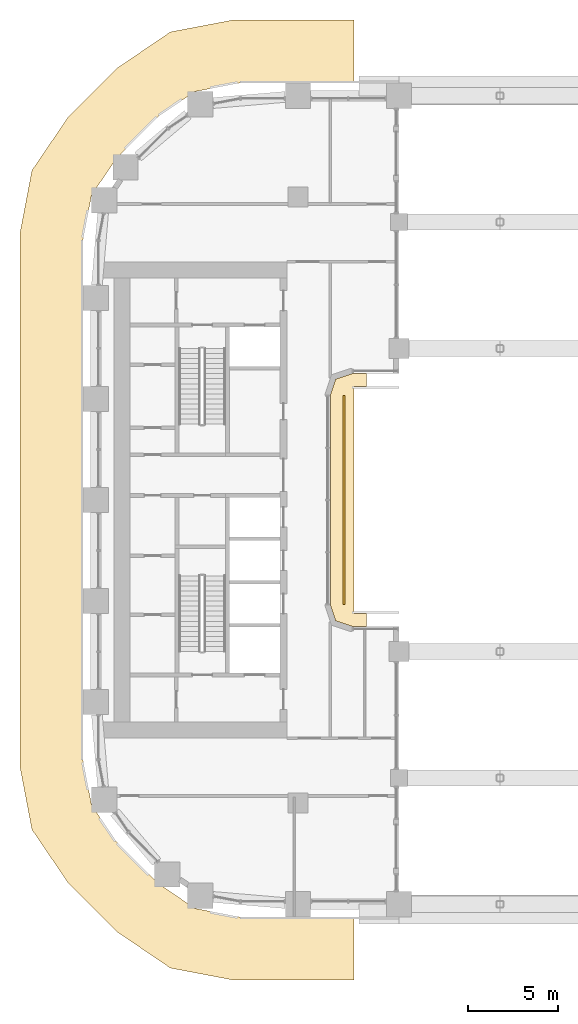
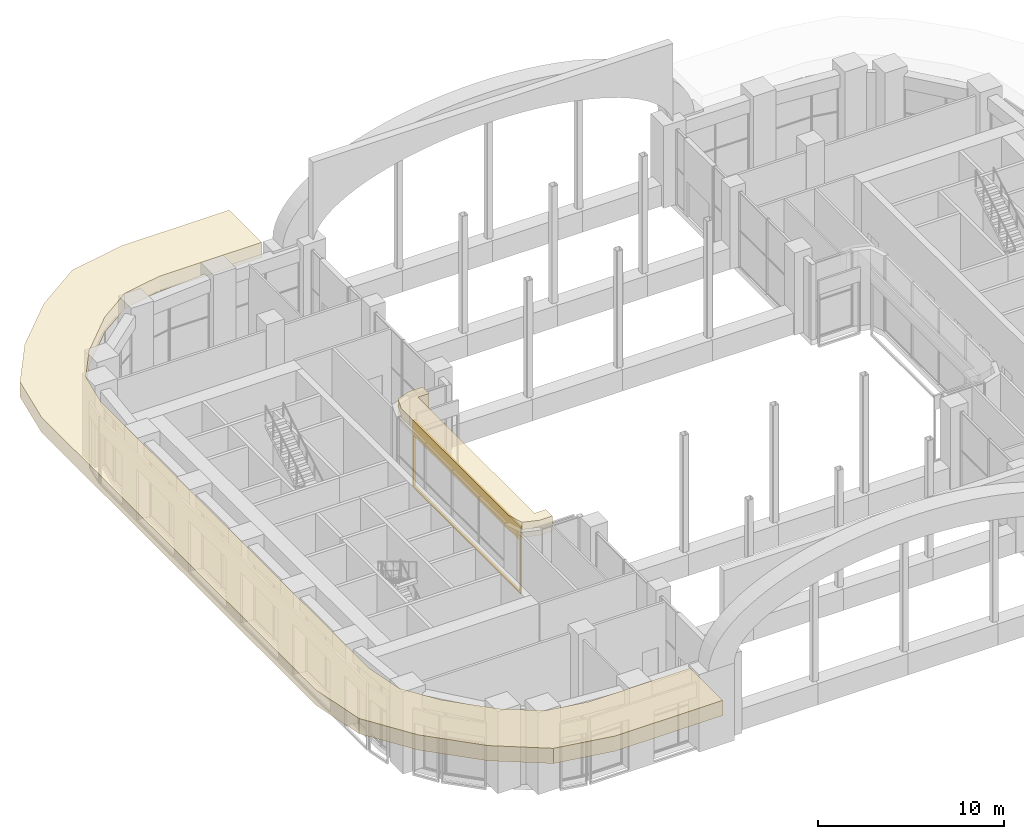
# One storey, part 22 of 27: 3 coverings.
"""IFC4 building model written with IfcOpenShell, lengths in metres."""

from ifc_helpers import new_model, si_unit, direction, frame, origin, place, context, subcontext, project, spatial, polyline, outline, extrude, material, layer, layer_set, type_object, element, save


model = new_model("IFC4")

# Units and contexts
model_context = context("Model", 3, precision=1e-05, world=origin(), true_north=direction((0.0, 1.0)))
body_context = subcontext(model_context, "Body", "Model", "MODEL_VIEW")
ifc_project = project(units=[si_unit("LENGTHUNIT", "METRE"), si_unit("AREAUNIT", "SQUARE_METRE"), si_unit("VOLUMEUNIT", "CUBIC_METRE"), si_unit("PLANEANGLEUNIT", "RADIAN"), si_unit("MASSUNIT", "GRAM", prefix="KILO")], contexts=[model_context])

# Site, building, storey
site_placement = place(None, origin())
site = spatial("IfcSite", under=ifc_project, at=site_placement, CompositionType="ELEMENT")
building_placement = place(site_placement, origin())
building = spatial("IfcBuilding", under=site, at=building_placement, Name="Kiln Ring Residences", CompositionType="ELEMENT")
storey_placement = place(building_placement, frame((0.0, 0.0, 72.5)))
storey = spatial("IfcBuildingStorey", under=building, at=storey_placement, Name="L18", CompositionType="ELEMENT", Elevation=72.5)

# Coverings
ifc_material_1 = material(Name="Brick masonry, dark clay brick", Category="masonry")
ifc_layer_1 = layer(ifc_material_1, 0.1201171875)
ifc_layer_set_1 = layer_set([ifc_layer_1], Name="RAINSCREEN PANEL 120")
covering_type_1 = type_object("IfcCoveringType", Name="RAINSCREEN PANEL 120", PredefinedType="CLADDING", material=ifc_layer_set_1)
covering_1_placement = place(storey_placement, frame((-14.239990234375, -5.800048828125, 0.0), z_axis=(0.0, 0.0, 1.0), x_axis=(0.0, 1.0, 0.0)))
element("IfcCovering", 1, at=covering_1_placement, inside=storey, type_object=covering_type_1, Name="RAINSCREEN L18", PredefinedType="CLADDING", context=body_context, shape_type="SweptSolid", body=[
    extrude(outline(polyline([(0.0, 0.0), (11.60009765625, 0.0), (11.60009765625, 4.39990234375), (0.0, 4.39990234375), (0.0, 0.0)]), holes=[polyline([(0.080078125, 3.469970703125), (0.080078125, 0.1298828125), (11.52001953125, 0.1298828125), (11.52001953125, 3.469970703125), (0.080078125, 3.469970703125)])]), frame((0.0, 0.06005859375, 0.0), z_axis=(0.0, -1.0, 0.0), x_axis=(1.0, 0.0, 0.0)), (0.0, 0.0, 1.0), 0.1201171875),
])
ifc_material_2 = material(Name="Black powder-coated steel", Category="steel")
ifc_layer_2 = layer(ifc_material_2, 1.0)
ifc_layer_set_2 = layer_set([ifc_layer_2], Name="SUNSHADE FIN 3500")
covering_type_2 = type_object("IfcCoveringType", Name="SUNSHADE FIN 3500", PredefinedType="CLADDING", material=ifc_layer_set_2)
placement = place(storey_placement, frame((0.0, 0.0, 4.39990234375)))
element("IfcCovering", 2, at=placement, inside=storey, type_object=covering_type_2, Name="SUNSHADE FIN L18", PredefinedType="CLADDING", context=body_context, shape_type="SweptSolid", body=[
    extrude(outline(polyline([(-31.538330078125, 18.265625), (-32.199951171875, 14.797119140625), (-32.199951171875, -14.797119140625), (-31.538330078125, -18.265625), (-29.553466796875, -21.186279296875), (-26.7861328125, -23.95361328125), (-23.865478515625, -25.9384765625), (-20.39697265625, -26.60009765625), (-13.699951171875, -26.60009765625), (-13.699951171875, -23.10009765625), (-20.066162109375, -23.10009765625), (-22.497802734375, -22.63623046875), (-24.545166015625, -21.24462890625), (-26.8447265625, -18.9453125), (-28.236083984375, -16.897705078125), (-28.699951171875, -14.46630859375), (-28.699951171875, 14.46630859375), (-28.236083984375, 16.897705078125), (-26.8447265625, 18.9453125), (-24.545166015625, 21.24462890625), (-22.497802734375, 22.63623046875), (-20.066162109375, 23.10009765625), (-13.699951171875, 23.10009765625), (-13.699951171875, 26.60009765625), (-20.39697265625, 26.60009765625), (-23.865478515625, 25.9384765625), (-26.7861328125, 23.95361328125), (-29.553466796875, 21.186279296875), (-31.538330078125, 18.265625)])), origin(), (0.0, 0.0, 1.0), 1.0),
])
element("IfcCovering", 3, at=placement, inside=storey, type_object=covering_type_2, Name="SUNSHADE FIN L18", PredefinedType="CLADDING", context=body_context, shape_type="SweptSolid", body=[
    extrude(outline(polyline([(-13.699951171875, -6.29541015625), (-13.699951171875, 6.29541015625), (-13.686279296875, 6.300048828125), (-12.989990234375, 6.300048828125), (-12.989990234375, 7.0), (-13.800048828125, 7.0), (-14.699951171875, 6.699951171875), (-15.0, 5.800048828125), (-15.0, -5.800048828125), (-14.699951171875, -6.699951171875), (-13.800048828125, -7.0), (-12.989990234375, -7.0), (-12.989990234375, -6.300048828125), (-13.686279296875, -6.300048828125), (-13.699951171875, -6.29541015625)])), origin(), (0.0, 0.0, 1.0), 1.0),
])

save(model, "model.ifc")
